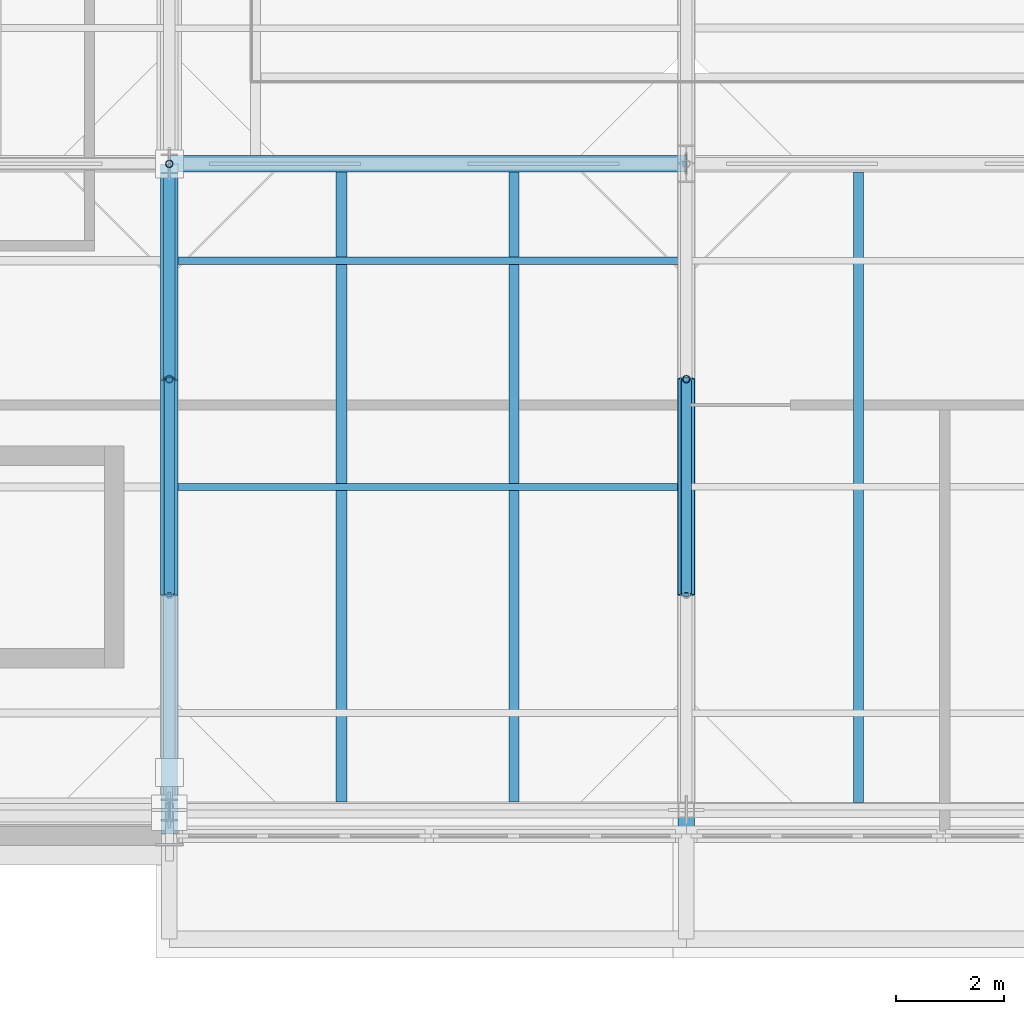
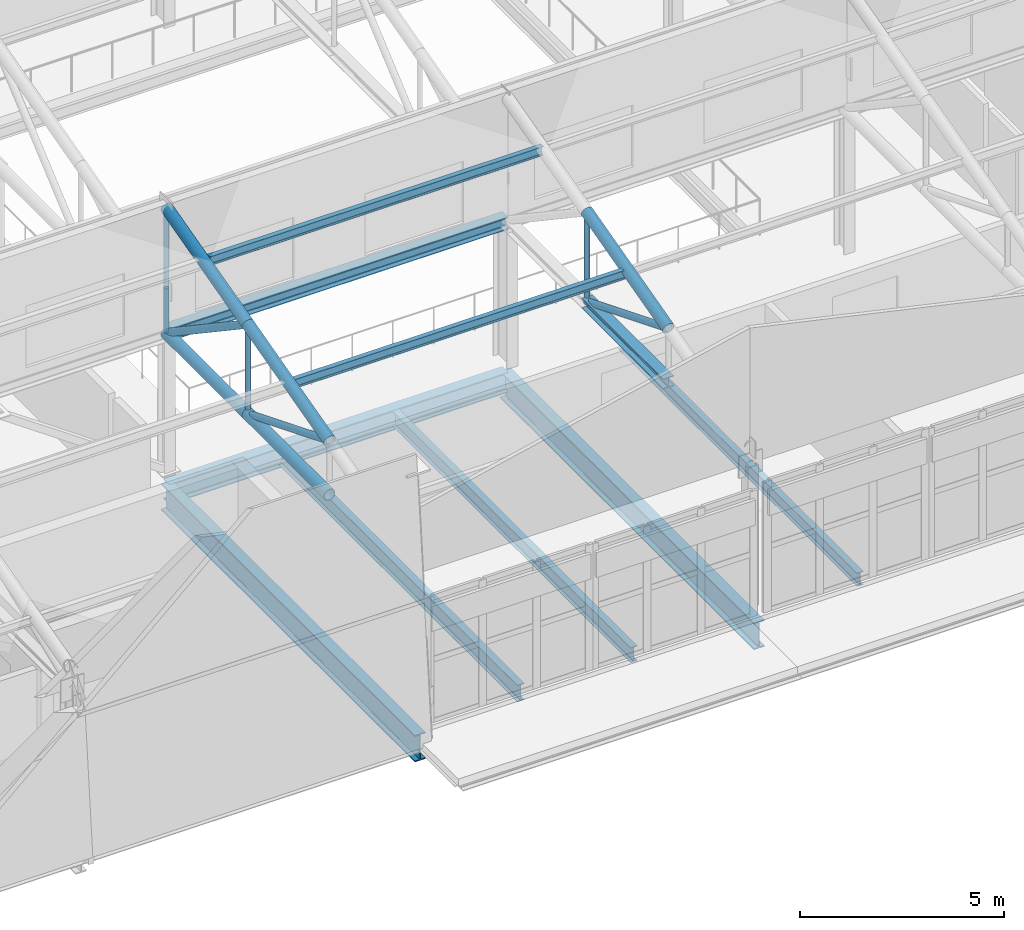
# One storey, part 23 of 89: 15 members, 7 beams.
"""IFC4 building model written with IfcOpenShell, lengths in metres."""

from ifc_helpers import new_model, si_unit, direction, frame, origin, origin_2d, place, context, subcontext, project, spatial, hollow_circle, i_section, extrude, material, material_profile, profile_set, type_object, element, save


model = new_model("IFC4")

# Units and contexts
model_context = context("Model", 3, precision=1e-05, world=origin(), true_north=direction((0.0, 1.0)))
body_context = subcontext(model_context, "Body", "Model", "MODEL_VIEW")
ifc_project = project(units=[si_unit("LENGTHUNIT", "METRE"), si_unit("AREAUNIT", "SQUARE_METRE"), si_unit("VOLUMEUNIT", "CUBIC_METRE"), si_unit("PLANEANGLEUNIT", "RADIAN"), si_unit("MASSUNIT", "GRAM", prefix="KILO")], contexts=[model_context])

# Site, building, storey
site_placement = place(None, origin())
site = spatial("IfcSite", under=ifc_project, at=site_placement, CompositionType="ELEMENT")
building_placement = place(site_placement, origin())
building = spatial("IfcBuilding", under=site, at=building_placement, Name="Zereglee Splitstone Museum", CompositionType="ELEMENT")
storey_placement = place(building_placement, frame((0.0, 0.0, 21.300048828125)))
storey = spatial("IfcBuildingStorey", under=building, at=storey_placement, Name="L04", CompositionType="ELEMENT", Elevation=21.300048828125)

# Members
ifc_material_1 = material(Name="Steel S355J2H", Category="steel")
ifc_material_profile_1 = material_profile(ifc_material_1, hollow_circle(Radius=0.096923828125, WallThickness=0.010009765625, at=origin_2d()), Name="CHS 193.7x10")
ifc_profile_set_1 = profile_set([ifc_material_profile_1], Name="Steel S355J2H")
member_type_1 = type_object("IfcMemberType", Name="TB-04", PredefinedType="BRACE", material=ifc_profile_set_1)
for number, where, z_axis, x_axis, name in (
    (1, (97.199951171875, 17.60009765625, 4.199951171875), (0.0, -0.927136001435, 0.374725012299), (1.0, 0.0, 0.0), "Roof Truss ST-03 Diagonal 1.2"),
    (2, (106.800048828125, 17.60009765625, 4.199951171875), (0.0, -0.927136001435, 0.374725012299), (1.0, 0.0, 0.0), "Roof Truss ST-04 Diagonal 1.2"),
):
    element("IfcMember", number, at=place(storey_placement, frame(where, z_axis=z_axis, x_axis=x_axis)), inside=storey, type_object=member_type_1, Name=name, PredefinedType="BRACE", context=body_context, shape_type="SweptSolid", body=[
        extrude(hollow_circle(Radius=0.096923828125, WallThickness=0.010009765625, at=origin_2d()), origin(), (0.0, 0.0, 1.0), 4.314453125),
    ])
ifc_material_profile_2 = material_profile(ifc_material_1, hollow_circle(Radius=0.109619140625, WallThickness=0.010009765625, at=origin_2d()), Name="CHS 219.1x10")
ifc_profile_set_2 = profile_set([ifc_material_profile_2], Name="Steel S355J2H")
member_type_2 = type_object("IfcMemberType", Name="TB-03", PredefinedType="BRACE", material=ifc_profile_set_2)
member_1_placement = place(storey_placement, frame((97.199951171875, 21.60009765625, 4.199951171875), z_axis=(0.0, -0.830448263685, 0.557095755991), x_axis=(1.0, 0.0, 0.0)))
element("IfcMember", 3, at=member_1_placement, inside=storey, type_object=member_type_2, Name="Roof Truss ST-03 Diagonal 1.3", PredefinedType="BRACE", context=body_context, shape_type="SweptSolid", body=[
    extrude(hollow_circle(Radius=0.109619140625, WallThickness=0.010009765625, at=origin_2d()), origin(), (0.0, 0.0, 1.0), 4.816650390625),
])
ifc_material_profile_3 = material_profile(ifc_material_1, hollow_circle(Radius=0.161865234375, WallThickness=0.01611328125, at=origin_2d()), Name="CHS 323.9x16")
ifc_profile_set_3 = profile_set([ifc_material_profile_3], Name="Steel S355J2H")
member_type_3 = type_object("IfcMemberType", Name="TC-05", PredefinedType="CHORD", material=ifc_profile_set_3)
member_2_placement = place(storey_placement, frame((97.199951171875, 13.60009765625, 4.199951171875), z_axis=(0.0, 1.0, 0.0), x_axis=(-1.0, 0.0, 0.0)))
element("IfcMember", 4, at=member_2_placement, inside=storey, type_object=member_type_3, Name="Roof Truss ST-03 Bottom Chord 1.2", PredefinedType="CHORD", context=body_context, shape_type="SweptSolid", body=[
    extrude(hollow_circle(Radius=0.161865234375, WallThickness=0.01611328125, at=origin_2d()), origin(), (0.0, 0.0, 1.0), 4.0),
])
member_3_placement = place(storey_placement, frame((97.199951171875, 13.60009765625, 5.816650390625), z_axis=(0.0, 0.966235918422, 0.257658979955), x_axis=(-1.0, 0.0, 0.0)))
element("IfcMember", 5, at=member_3_placement, inside=storey, type_object=member_type_3, Name="Roof Truss ST-03 Top Chord 1.2", PredefinedType="CHORD", context=body_context, shape_type="SweptSolid", body=[
    extrude(hollow_circle(Radius=0.161865234375, WallThickness=0.01611328125, at=origin_2d()), origin(), (0.0, 0.0, 1.0), 4.139892578125),
])
member_4_placement = place(storey_placement, frame((97.199951171875, 17.60009765625, 4.199951171875), z_axis=(0.0, 1.0, 0.0), x_axis=(-1.0, 0.0, 0.0)))
element("IfcMember", 6, at=member_4_placement, inside=storey, type_object=member_type_3, Name="Roof Truss ST-03 Bottom Chord 1.3", PredefinedType="CHORD", context=body_context, shape_type="SweptSolid", body=[
    extrude(hollow_circle(Radius=0.161865234375, WallThickness=0.01611328125, at=origin_2d()), origin(), (0.0, 0.0, 1.0), 4.0),
])
for number, where, z_axis, x_axis, name in (
    (7, (97.199951171875, 17.60009765625, 6.88330078125), (0.0, 0.966235918422, 0.257658979955), (-1.0, 0.0, 0.0), "Roof Truss ST-03 Top Chord 1.3"),
    (8, (106.800048828125, 13.60009765625, 5.816650390625), (0.0, 0.966235918422, 0.257658979955), (-1.0, 0.0, 0.0), "Roof Truss ST-04 Top Chord 1.2"),
):
    element("IfcMember", number, at=place(storey_placement, frame(where, z_axis=z_axis, x_axis=x_axis)), inside=storey, type_object=member_type_3, Name=name, PredefinedType="CHORD", context=body_context, shape_type="SweptSolid", body=[
        extrude(hollow_circle(Radius=0.161865234375, WallThickness=0.01611328125, at=origin_2d()), origin(), (0.0, 0.0, 1.0), 4.139892578125),
    ])
ifc_material_2 = material(Name="Steel S355J2", Category="steel")
ifc_material_profile_4 = material_profile(ifc_material_2, i_section(OverallWidth=0.300048828125, OverallDepth=0.300048828125, WebThickness=0.010986328125, FlangeThickness=0.01904296875, FilletRadius=0.027099609375, at=origin_2d()), Name="HE 300 B")
ifc_profile_set_4 = profile_set([ifc_material_profile_4], Name="Steel S355J2")
member_type_4 = type_object("IfcMemberType", Name="TC-07", PredefinedType="CHORD", material=ifc_profile_set_4)
member_5_placement = place(storey_placement, frame((106.800048828125, 13.60009765625, 4.199951171875), z_axis=(0.0, 1.0, 0.0), x_axis=(-1.0, 0.0, 0.0)))
element("IfcMember", 9, at=member_5_placement, inside=storey, type_object=member_type_4, Name="Roof Truss ST-04 Bottom Chord 1.2", PredefinedType="CHORD", context=body_context, shape_type="SweptSolid", body=[
    extrude(i_section(OverallWidth=0.300048828125, OverallDepth=0.300048828125, WebThickness=0.010986328125, FlangeThickness=0.01904296875, FilletRadius=0.027099609375, at=origin_2d()), origin(), (0.0, 0.0, 1.0), 4.0),
])

# Beams
ifc_material_profile_5 = material_profile(ifc_material_2, i_section(OverallWidth=0.300048828125, OverallDepth=0.360107421875, WebThickness=0.012451171875, FlangeThickness=0.0224609375, FilletRadius=0.027099609375, at=origin_2d()), Name="HE 360 B")
ifc_profile_set_5 = profile_set([ifc_material_profile_5], Name="Steel S355J2")
beam_type_1 = type_object("IfcBeamType", Name="BG-14", PredefinedType="BEAM", material=ifc_profile_set_5)
beam_1_placement = place(storey_placement, frame((97.199951171875, 21.60009765625, 4.199951171875), z_axis=(1.0, 0.0, 0.0), x_axis=(0.0, 1.0, 0.0)))
element("IfcBeam", 10, at=beam_1_placement, inside=storey, type_object=beam_type_1, Name="Sawtooth Monitor Sill Beam B3-S1", PredefinedType="BEAM", context=body_context, shape_type="SweptSolid", body=[
    extrude(i_section(OverallWidth=0.300048828125, OverallDepth=0.360107421875, WebThickness=0.012451171875, FlangeThickness=0.0224609375, FilletRadius=0.027099609375, at=origin_2d()), origin(), (0.0, 0.0, 1.0), 9.60009765625),
])
ifc_material_profile_6 = material_profile(ifc_material_2, i_section(OverallWidth=0.300048828125, OverallDepth=0.60009765625, WebThickness=0.015380859375, FlangeThickness=0.030029296875, FilletRadius=0.027099609375, at=origin_2d()), Name="HE 600 B")
ifc_profile_set_6 = profile_set([ifc_material_profile_6], Name="Steel S355J2")
beam_type_2 = type_object("IfcBeamType", Name="BG-10", PredefinedType="BEAM", material=ifc_profile_set_6)
beam_2_placement = place(storey_placement, frame((97.199951171875, 21.60009765625, -0.56005859375), z_axis=(1.0, 0.0, 0.0), x_axis=(0.0, 1.0, 0.0)))
element("IfcBeam", 11, at=beam_2_placement, inside=storey, type_object=beam_type_2, Name="Primary Girder L04 C (97.2-106.8)", PredefinedType="BEAM", context=body_context, shape_type="SweptSolid", body=[
    extrude(i_section(OverallWidth=0.300048828125, OverallDepth=0.60009765625, WebThickness=0.015380859375, FlangeThickness=0.030029296875, FilletRadius=0.027099609375, at=origin_2d()), origin(), (0.0, 0.0, 1.0), 9.60009765625),
])
ifc_material_profile_7 = material_profile(ifc_material_2, i_section(OverallWidth=0.300048828125, OverallDepth=0.800048828125, WebThickness=0.017578125, FlangeThickness=0.032958984375, FilletRadius=0.030029296875, at=origin_2d()), Name="HE 800 B")
ifc_profile_set_7 = profile_set([ifc_material_profile_7], Name="Steel S355J2")
beam_type_3 = type_object("IfcBeamType", Name="BG-07", PredefinedType="BEAM", material=ifc_profile_set_7)
for number, where, z_axis, x_axis, name in (
    (12, (97.199951171875, 9.14990234375, -0.66015625), (0.0, 1.0, 0.0), (-1.0, 0.0, 0.0), "Primary Girder L04 12 (9.2-21.6)"),
    (13, (106.800048828125, 9.14990234375, -0.66015625), (0.0, 1.0, 0.0), (-1.0, 0.0, 0.0), "Primary Girder L04 13 (9.2-21.6)"),
):
    element("IfcBeam", number, at=place(storey_placement, frame(where, z_axis=z_axis, x_axis=x_axis)), inside=storey, type_object=beam_type_3, Name=name, PredefinedType="BEAM", context=body_context, shape_type="SweptSolid", body=[
        extrude(i_section(OverallWidth=0.300048828125, OverallDepth=0.800048828125, WebThickness=0.017578125, FlangeThickness=0.032958984375, FilletRadius=0.030029296875, at=origin_2d()), origin(), (0.0, 0.0, 1.0), 12.4501953125),
    ])
ifc_material_profile_8 = material_profile(ifc_material_2, i_section(OverallWidth=0.179931640625, OverallDepth=0.39990234375, WebThickness=0.008544921875, FlangeThickness=0.013427734375, FilletRadius=0.02099609375, at=origin_2d()), Name="IPE 400")
ifc_profile_set_8 = profile_set([ifc_material_profile_8], Name="Steel S355J2")
beam_type_4 = type_object("IfcBeamType", Name="BJ-03", PredefinedType="JOIST", material=ifc_profile_set_8)
beam_3_placement = place(storey_placement, frame((110.0, 9.739990234375, -0.4599609375), z_axis=(0.0, 1.0, 0.0), x_axis=(-1.0, 0.0, 0.0)))
element("IfcBeam", 14, at=beam_3_placement, inside=storey, type_object=beam_type_4, Name="Secondary Floor Joist L04-1514", PredefinedType="JOIST", context=body_context, shape_type="SweptSolid", body=[
    extrude(i_section(OverallWidth=0.179931640625, OverallDepth=0.39990234375, WebThickness=0.008544921875, FlangeThickness=0.013427734375, FilletRadius=0.02099609375, at=origin_2d()), origin(), (0.0, 0.0, 1.0), 11.7099609375),
])
ifc_material_profile_9 = material_profile(ifc_material_2, i_section(OverallWidth=0.18994140625, OverallDepth=0.449951171875, WebThickness=0.009521484375, FlangeThickness=0.0146484375, FilletRadius=0.02099609375, at=origin_2d()), Name="IPE 450")
ifc_profile_set_9 = profile_set([ifc_material_profile_9], Name="Steel S355J2")
beam_type_5 = type_object("IfcBeamType", Name="BJ-02", PredefinedType="JOIST", material=ifc_profile_set_9)
beam_4_placement = place(storey_placement, frame((103.60009765625, 9.75, -0.485107421875), z_axis=(0.0, 1.0, 0.0), x_axis=(-1.0, 0.0, 0.0)))
element("IfcBeam", 15, at=beam_4_placement, inside=storey, type_object=beam_type_5, Name="Secondary Floor Joist L04-1513", PredefinedType="JOIST", context=body_context, shape_type="SweptSolid", body=[
    extrude(i_section(OverallWidth=0.18994140625, OverallDepth=0.449951171875, WebThickness=0.009521484375, FlangeThickness=0.0146484375, FilletRadius=0.02099609375, at=origin_2d()), origin(), (0.0, 0.0, 1.0), 11.699951171875),
])
ifc_material_profile_10 = material_profile(ifc_material_2, i_section(OverallWidth=0.199951171875, OverallDepth=0.5, WebThickness=0.01025390625, FlangeThickness=0.01611328125, FilletRadius=0.02099609375, at=origin_2d()), Name="IPE 500")
ifc_profile_set_10 = profile_set([ifc_material_profile_10], Name="Steel S355J2")
beam_type_6 = type_object("IfcBeamType", Name="BJ-01", PredefinedType="JOIST", material=ifc_profile_set_10)
beam_5_placement = place(storey_placement, frame((100.39990234375, 9.75, -0.510009765625), z_axis=(0.0, 1.0, 0.0), x_axis=(-1.0, 0.0, 0.0)))
element("IfcBeam", 16, at=beam_5_placement, inside=storey, type_object=beam_type_6, Name="Secondary Floor Joist L04-1512", PredefinedType="JOIST", context=body_context, shape_type="SweptSolid", body=[
    extrude(i_section(OverallWidth=0.199951171875, OverallDepth=0.5, WebThickness=0.01025390625, FlangeThickness=0.01611328125, FilletRadius=0.02099609375, at=origin_2d()), origin(), (0.0, 0.0, 1.0), 11.699951171875),
])

# Members
ifc_material_profile_11 = material_profile(ifc_material_1, hollow_circle(Radius=0.06982421875, WallThickness=0.008056640625, at=origin_2d()), Name="CHS 139.7x8")
ifc_profile_set_11 = profile_set([ifc_material_profile_11], Name="Steel S355J2H")
member_type_5 = type_object("IfcMemberType", Name="TP-03", PredefinedType="POST", material=ifc_profile_set_11)
member_6_placement = place(storey_placement, frame((97.199951171875, 17.60009765625, 4.199951171875), z_axis=(0.0, 0.0, 1.0), x_axis=(1.0, 0.0, 0.0)))
element("IfcMember", 17, at=member_6_placement, inside=storey, type_object=member_type_5, Name="Roof Truss ST-03 Post 1.2", PredefinedType="POST", context=body_context, shape_type="SweptSolid", body=[
    extrude(hollow_circle(Radius=0.06982421875, WallThickness=0.008056640625, at=origin_2d()), origin(), (0.0, 0.0, 1.0), 2.683349609375),
])
member_7_placement = place(storey_placement, frame((97.199951171875, 21.60009765625, 4.199951171875), z_axis=(0.0, 0.0, 1.0), x_axis=(1.0, 0.0, 0.0)))
element("IfcMember", 18, at=member_7_placement, inside=storey, type_object=member_type_5, Name="Roof Truss ST-03 Post 1.3", PredefinedType="POST", context=body_context, shape_type="SweptSolid", body=[
    extrude(hollow_circle(Radius=0.06982421875, WallThickness=0.008056640625, at=origin_2d()), origin(), (0.0, 0.0, 1.0), 3.75),
])
member_8_placement = place(storey_placement, frame((97.199951171875, 21.60009765625, 4.199951171875), z_axis=(0.0, 0.0, 1.0), x_axis=(1.0, 0.0, 0.0)))
element("IfcMember", 19, at=member_8_placement, inside=storey, type_object=member_type_5, Name="Roof Truss ST-03 Post 2.0", PredefinedType="POST", context=body_context, shape_type="SweptSolid", body=[
    extrude(hollow_circle(Radius=0.06982421875, WallThickness=0.008056640625, at=origin_2d()), origin(), (0.0, 0.0, 1.0), 1.35009765625),
])
member_9_placement = place(storey_placement, frame((106.800048828125, 17.60009765625, 4.199951171875), z_axis=(0.0, 0.0, 1.0), x_axis=(1.0, 0.0, 0.0)))
element("IfcMember", 20, at=member_9_placement, inside=storey, type_object=member_type_5, Name="Roof Truss ST-04 Post 1.2", PredefinedType="POST", context=body_context, shape_type="SweptSolid", body=[
    extrude(hollow_circle(Radius=0.06982421875, WallThickness=0.008056640625, at=origin_2d()), origin(), (0.0, 0.0, 1.0), 2.683349609375),
])
ifc_material_profile_12 = material_profile(ifc_material_2, i_section(OverallWidth=0.135009765625, OverallDepth=0.27001953125, WebThickness=0.006591796875, FlangeThickness=0.01025390625, FilletRadius=0.014892578125, at=origin_2d()), Name="IPE 270")
ifc_profile_set_12 = profile_set([ifc_material_profile_12], Name="Steel S355J2")
member_type_6 = type_object("IfcMemberType", Name="PR-02", PredefinedType="PURLIN", material=ifc_profile_set_12)
for number, where, z_axis, x_axis, name in (
    (21, (97.199951171875, 15.60009765625, 6.28857421875), (1.0, 0.0, 0.0), (0.0, 1.0, 0.0), "Sawtooth Roof Purlin B3-S1-2"),
    (22, (97.199951171875, 19.800048828125, 7.40869140625), (1.0, 0.0, 0.0), (0.0, 1.0, 0.0), "Sawtooth Roof Purlin B3-S1-3"),
):
    element("IfcMember", number, at=place(storey_placement, frame(where, z_axis=z_axis, x_axis=x_axis)), inside=storey, type_object=member_type_6, Name=name, PredefinedType="PURLIN", context=body_context, shape_type="SweptSolid", body=[
        extrude(i_section(OverallWidth=0.135009765625, OverallDepth=0.27001953125, WebThickness=0.006591796875, FlangeThickness=0.01025390625, FilletRadius=0.014892578125, at=origin_2d()), origin(), (0.0, 0.0, 1.0), 9.60009765625),
    ])

save(model, "model.ifc")
